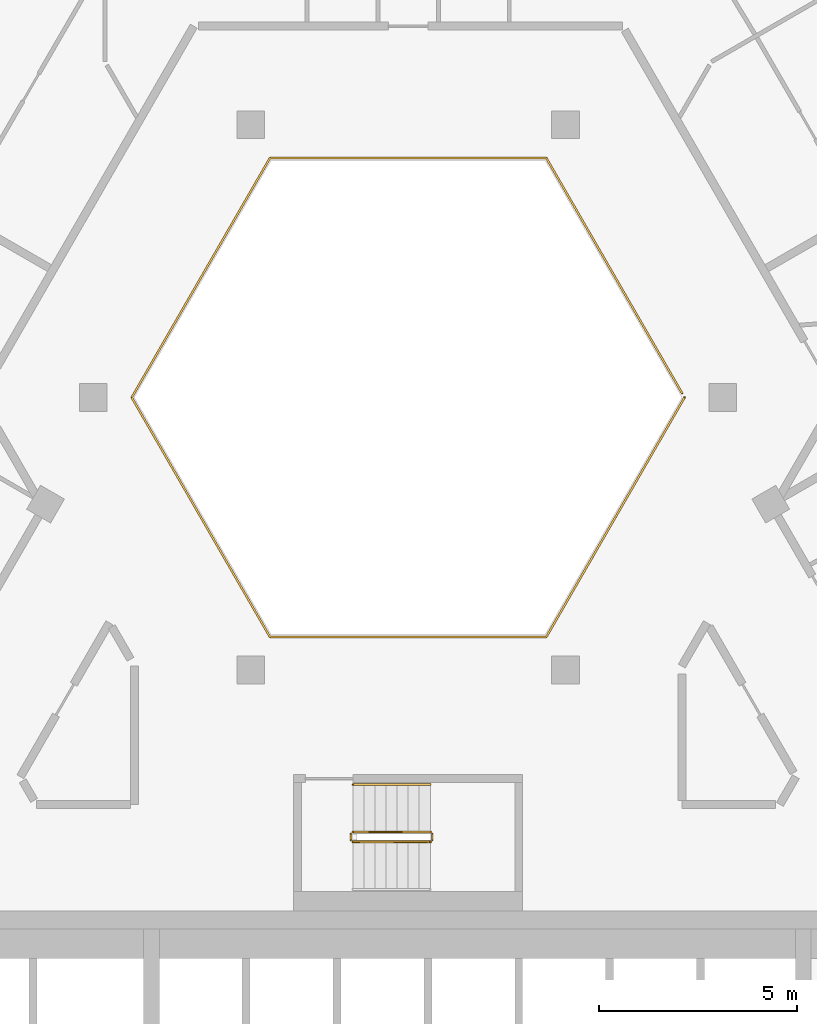
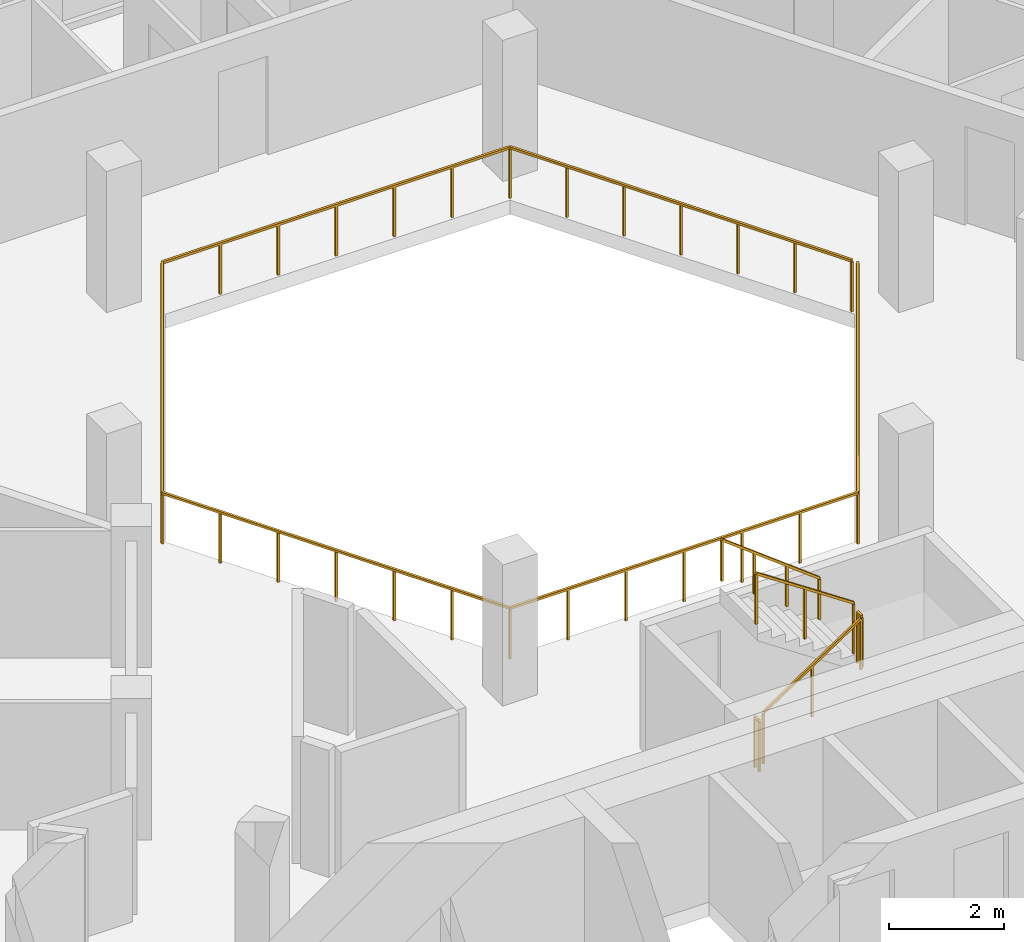
# One storey, part 12 of 14: 6 railings.
"""IFC4 building model written with IfcOpenShell, lengths in metres."""

from ifc_helpers import new_model, si_unit, direction, frame, origin, origin_2d, place, context, subcontext, project, spatial, rectangle, extrude, material, type_object, element, save


model = new_model("IFC4")

# Units and contexts
model_context = context("Model", 3, precision=1e-05, world=origin(), true_north=direction((0.0, 1.0)))
body_context = subcontext(model_context, "Body", "Model", "MODEL_VIEW")
ifc_project = project(units=[si_unit("LENGTHUNIT", "METRE"), si_unit("AREAUNIT", "SQUARE_METRE"), si_unit("VOLUMEUNIT", "CUBIC_METRE"), si_unit("PLANEANGLEUNIT", "RADIAN"), si_unit("MASSUNIT", "GRAM", prefix="KILO")], contexts=[model_context])

# Site, building, storey
site_placement = place(None, origin())
site = spatial("IfcSite", under=ifc_project, at=site_placement, CompositionType="ELEMENT")
building_placement = place(site_placement, origin())
building = spatial("IfcBuilding", under=site, at=building_placement, Name="Beryl Residences", CompositionType="ELEMENT")
storey_placement = place(building_placement, frame((0.0, 0.0, 223.800048828125)))
storey = spatial("IfcBuildingStorey", under=building, at=storey_placement, Name="L69", CompositionType="ELEMENT", Elevation=223.800048828125)

# Railings
ifc_material_1 = material(Name="Stainless steel balustrade with glass infill", Category="steel")
railing_type_1 = type_object("IfcRailingType", Name="EG1 edge guard 1100 mm", PredefinedType="GUARDRAIL", material=ifc_material_1)
railing_1_placement = place(storey_placement, frame((6.9970703125, 8.0, 0.0)))
element("IfcRailing", 1, at=railing_1_placement, inside=storey, type_object=railing_type_1, Name="L69 atrium guard", PredefinedType="GUARDRAIL", context=body_context, shape_type="SweptSolid", body=[
    extrude(rectangle(XDim=0.048095703125, YDim=0.048095703125, at=origin_2d()), frame((0.0, 0.0, 1.076171875), z_axis=(-0.499921796684, -0.866070549782, 0.0), x_axis=(0.866070549782, -0.499921796684, 0.0)), (0.0, 0.0, 1.0), 6.9970703125),
    extrude(rectangle(XDim=0.048095703125, YDim=0.048095703125, at=origin_2d()), frame((-3.498046875, -6.06005859375, 1.076171875), z_axis=(-1.0, 0.0, 0.0), x_axis=(0.0, -1.0, 0.0)), (0.0, 0.0, 1.0), 6.998046875),
    extrude(rectangle(XDim=0.048095703125, YDim=0.048095703125, at=origin_2d()), frame((-10.49609375, -6.06005859375, 1.076171875), z_axis=(-0.499921796684, 0.866070549782, 0.0), x_axis=(-0.866070549782, -0.499921796684, 0.0)), (0.0, 0.0, 1.0), 6.9970703125),
    extrude(rectangle(XDim=0.048095703125, YDim=0.048095703125, at=origin_2d()), frame((-13.994140625, 0.0, 1.076171875), z_axis=(0.499921796684, 0.866070549782, 0.0), x_axis=(-0.866070549782, 0.499921796684, 0.0)), (0.0, 0.0, 1.0), 6.9970703125),
    extrude(rectangle(XDim=0.048095703125, YDim=0.048095703125, at=origin_2d()), frame((-10.49609375, 6.06005859375, 1.076171875), z_axis=(1.0, 0.0, 0.0), x_axis=(0.0, 1.0, 0.0)), (0.0, 0.0, 1.0), 6.998046875),
    extrude(rectangle(XDim=0.048095703125, YDim=0.048095703125, at=origin_2d()), frame((-3.498046875, 6.06005859375, 1.076171875), z_axis=(0.499919131929, -0.866072087953, 0.0), x_axis=(0.866072087953, 0.499919131929, 0.0)), (0.0, 0.0, 1.0), 6.877197265625),
    extrude(rectangle(XDim=0.0419921875, YDim=0.0419921875, at=origin_2d()), origin(), (0.0, 0.0, 1.0), 1.052001953125),
    extrude(rectangle(XDim=0.0419921875, YDim=0.0419921875, at=origin_2d()), frame((-0.5830078125, -1.010009765625, 0.0)), (0.0, 0.0, 1.0), 1.052001953125),
    extrude(rectangle(XDim=0.0419921875, YDim=0.0419921875, at=origin_2d()), frame((-1.166015625, -2.02001953125, 0.0)), (0.0, 0.0, 1.0), 1.052001953125),
    extrude(rectangle(XDim=0.0419921875, YDim=0.0419921875, at=origin_2d()), frame((-1.7490234375, -3.030029296875, 0.0)), (0.0, 0.0, 1.0), 1.052001953125),
    extrude(rectangle(XDim=0.0419921875, YDim=0.0419921875, at=origin_2d()), frame((-2.33203125, -4.0400390625, 0.0)), (0.0, 0.0, 1.0), 1.052001953125),
    extrude(rectangle(XDim=0.0419921875, YDim=0.0419921875, at=origin_2d()), frame((-2.9150390625, -5.050048828125, 0.0)), (0.0, 0.0, 1.0), 1.052001953125),
    extrude(rectangle(XDim=0.0419921875, YDim=0.0419921875, at=origin_2d()), frame((-3.498046875, -6.06005859375, 0.0)), (0.0, 0.0, 1.0), 1.052001953125),
    extrude(rectangle(XDim=0.0419921875, YDim=0.0419921875, at=origin_2d()), frame((-4.664306640625, -6.06005859375, 0.0)), (0.0, 0.0, 1.0), 1.052001953125),
    extrude(rectangle(XDim=0.0419921875, YDim=0.0419921875, at=origin_2d()), frame((-5.830810546875, -6.06005859375, 0.0)), (0.0, 0.0, 1.0), 1.052001953125),
    extrude(rectangle(XDim=0.0419921875, YDim=0.0419921875, at=origin_2d()), frame((-6.9970703125, -6.06005859375, 0.0)), (0.0, 0.0, 1.0), 1.052001953125),
    extrude(rectangle(XDim=0.0419921875, YDim=0.0419921875, at=origin_2d()), frame((-8.163330078125, -6.06005859375, 0.0)), (0.0, 0.0, 1.0), 1.052001953125),
    extrude(rectangle(XDim=0.0419921875, YDim=0.0419921875, at=origin_2d()), frame((-9.329833984375, -6.06005859375, 0.0)), (0.0, 0.0, 1.0), 1.052001953125),
    extrude(rectangle(XDim=0.0419921875, YDim=0.0419921875, at=origin_2d()), frame((-10.49609375, -6.06005859375, 0.0)), (0.0, 0.0, 1.0), 1.052001953125),
    extrude(rectangle(XDim=0.0419921875, YDim=0.0419921875, at=origin_2d()), frame((-11.0791015625, -5.050048828125, 0.0)), (0.0, 0.0, 1.0), 1.052001953125),
    extrude(rectangle(XDim=0.0419921875, YDim=0.0419921875, at=origin_2d()), frame((-11.662109375, -4.0400390625, 0.0)), (0.0, 0.0, 1.0), 1.052001953125),
    extrude(rectangle(XDim=0.0419921875, YDim=0.0419921875, at=origin_2d()), frame((-12.2451171875, -3.030029296875, 0.0)), (0.0, 0.0, 1.0), 1.052001953125),
    extrude(rectangle(XDim=0.0419921875, YDim=0.0419921875, at=origin_2d()), frame((-12.828125, -2.02001953125, 0.0)), (0.0, 0.0, 1.0), 1.052001953125),
    extrude(rectangle(XDim=0.0419921875, YDim=0.0419921875, at=origin_2d()), frame((-13.4111328125, -1.010009765625, 0.0)), (0.0, 0.0, 1.0), 1.052001953125),
    extrude(rectangle(XDim=0.0419921875, YDim=0.0419921875, at=origin_2d()), frame((-13.994140625, 0.0, 0.0)), (0.0, 0.0, 1.0), 1.052001953125),
    extrude(rectangle(XDim=0.0419921875, YDim=0.0419921875, at=origin_2d()), frame((-13.4111328125, 1.010009765625, 0.0)), (0.0, 0.0, 1.0), 1.052001953125),
    extrude(rectangle(XDim=0.0419921875, YDim=0.0419921875, at=origin_2d()), frame((-12.828125, 2.02001953125, 0.0)), (0.0, 0.0, 1.0), 1.052001953125),
    extrude(rectangle(XDim=0.0419921875, YDim=0.0419921875, at=origin_2d()), frame((-12.2451171875, 3.030029296875, 0.0)), (0.0, 0.0, 1.0), 1.052001953125),
    extrude(rectangle(XDim=0.0419921875, YDim=0.0419921875, at=origin_2d()), frame((-11.662109375, 4.0400390625, 0.0)), (0.0, 0.0, 1.0), 1.052001953125),
    extrude(rectangle(XDim=0.0419921875, YDim=0.0419921875, at=origin_2d()), frame((-11.0791015625, 5.050048828125, 0.0)), (0.0, 0.0, 1.0), 1.052001953125),
    extrude(rectangle(XDim=0.0419921875, YDim=0.0419921875, at=origin_2d()), frame((-10.49609375, 6.06005859375, 0.0)), (0.0, 0.0, 1.0), 1.052001953125),
    extrude(rectangle(XDim=0.0419921875, YDim=0.0419921875, at=origin_2d()), frame((-9.329833984375, 6.06005859375, 0.0)), (0.0, 0.0, 1.0), 1.052001953125),
    extrude(rectangle(XDim=0.0419921875, YDim=0.0419921875, at=origin_2d()), frame((-8.163330078125, 6.06005859375, 0.0)), (0.0, 0.0, 1.0), 1.052001953125),
    extrude(rectangle(XDim=0.0419921875, YDim=0.0419921875, at=origin_2d()), frame((-6.9970703125, 6.06005859375, 0.0)), (0.0, 0.0, 1.0), 1.052001953125),
    extrude(rectangle(XDim=0.0419921875, YDim=0.0419921875, at=origin_2d()), frame((-5.830810546875, 6.06005859375, 0.0)), (0.0, 0.0, 1.0), 1.052001953125),
    extrude(rectangle(XDim=0.0419921875, YDim=0.0419921875, at=origin_2d()), frame((-4.664306640625, 6.06005859375, 0.0)), (0.0, 0.0, 1.0), 1.052001953125),
    extrude(rectangle(XDim=0.0419921875, YDim=0.0419921875, at=origin_2d()), frame((-3.498046875, 6.06005859375, 0.0)), (0.0, 0.0, 1.0), 1.052001953125),
    extrude(rectangle(XDim=0.0419921875, YDim=0.0419921875, at=origin_2d()), frame((-2.925048828125, 5.0673828125, 0.0)), (0.0, 0.0, 1.0), 1.052001953125),
    extrude(rectangle(XDim=0.0419921875, YDim=0.0419921875, at=origin_2d()), frame((-2.35205078125, 4.07470703125, 0.0)), (0.0, 0.0, 1.0), 1.052001953125),
    extrude(rectangle(XDim=0.0419921875, YDim=0.0419921875, at=origin_2d()), frame((-1.779052734375, 3.08203125, 0.0)), (0.0, 0.0, 1.0), 1.052001953125),
    extrude(rectangle(XDim=0.0419921875, YDim=0.0419921875, at=origin_2d()), frame((-1.2060546875, 2.08935546875, 0.0)), (0.0, 0.0, 1.0), 1.052001953125),
    extrude(rectangle(XDim=0.0419921875, YDim=0.0419921875, at=origin_2d()), frame((-0.633056640625, 1.0966796875, 0.0)), (0.0, 0.0, 1.0), 1.052001953125),
    extrude(rectangle(XDim=0.0419921875, YDim=0.0419921875, at=origin_2d()), frame((-0.06005859375, 0.10400390625, 0.0)), (0.0, 0.0, 1.0), 1.052001953125),
])
ifc_material_2 = material(Name="Stainless steel balustrade with glass infill", Category="steel")
railing_type_2 = type_object("IfcRailingType", Name="SG1 stair guard 1100 mm", PredefinedType="GUARDRAIL", material=ifc_material_2)
railing_2_placement = place(storey_placement, frame((-1.39990234375, -3.25, 0.1875)))
element("IfcRailing", 2, at=railing_2_placement, inside=storey, type_object=railing_type_2, Name="L69 ST-4 stair guard 1", PredefinedType="GUARDRAIL", context=body_context, shape_type="SweptSolid", body=[
    extrude(rectangle(XDim=0.048095703125, YDim=0.048095703125, at=origin_2d()), frame((0.0, 0.0, 1.076171875), z_axis=(0.830902050051, 0.0, 0.556418712142), x_axis=(0.0, 1.0, 0.0)), (0.0, 0.0, 1.0), 2.35888671875),
    extrude(rectangle(XDim=0.0419921875, YDim=0.0419921875, at=origin_2d()), origin(), (0.0, 0.0, 1.0), 1.052001953125),
    extrude(rectangle(XDim=0.0419921875, YDim=0.0419921875, at=origin_2d()), frame((0.97998046875, 0.0, 0.65625)), (0.0, 0.0, 1.0), 1.052001953125),
    extrude(rectangle(XDim=0.0419921875, YDim=0.0419921875, at=origin_2d()), frame((1.9599609375, 0.0, 1.3125)), (0.0, 0.0, 1.0), 1.052001953125),
])
railing_3_placement = place(storey_placement, frame((0.610107421875, -3.199951171875, 1.5)))
element("IfcRailing", 3, at=railing_3_placement, inside=storey, type_object=railing_type_2, Name="L69 ST-4 stair guard 2", PredefinedType="GUARDRAIL", context=body_context, shape_type="SweptSolid", body=[
    extrude(rectangle(XDim=0.048095703125, YDim=0.048095703125, at=origin_2d()), frame((0.0, 0.0, 1.076171875), z_axis=(0.0, 1.0, 0.0), x_axis=(-1.0, 0.0, 0.0)), (0.0, 0.0, 1.0), 0.14990234375),
    extrude(rectangle(XDim=0.0419921875, YDim=0.0419921875, at=origin_2d()), origin(), (0.0, 0.0, 1.0), 1.052001953125),
    extrude(rectangle(XDim=0.0419921875, YDim=0.0419921875, at=origin_2d()), frame((0.0, 0.14990234375, 0.0)), (0.0, 0.0, 1.0), 1.052001953125),
])
railing_4_placement = place(storey_placement, frame((0.56005859375, -3.0, 1.6875)))
element("IfcRailing", 4, at=railing_4_placement, inside=storey, type_object=railing_type_2, Name="L69 ST-4 stair guard 3", PredefinedType="GUARDRAIL", context=body_context, shape_type="SweptSolid", body=[
    extrude(rectangle(XDim=0.048095703125, YDim=0.048095703125, at=origin_2d()), frame((0.0, 0.0, 1.076171875), z_axis=(-0.830902050051, 0.0, 0.556418712142), x_axis=(0.0, -1.0, 0.0)), (0.0, 0.0, 1.0), 2.35888671875),
    extrude(rectangle(XDim=0.0419921875, YDim=0.0419921875, at=origin_2d()), origin(), (0.0, 0.0, 1.0), 1.052001953125),
    extrude(rectangle(XDim=0.0419921875, YDim=0.0419921875, at=origin_2d()), frame((-0.97998046875, 0.0, 0.65625)), (0.0, 0.0, 1.0), 1.052001953125),
    extrude(rectangle(XDim=0.0419921875, YDim=0.0419921875, at=origin_2d()), frame((-1.9599609375, 0.0, 1.3125)), (0.0, 0.0, 1.0), 1.052001953125),
])
railing_5_placement = place(storey_placement, frame((-1.449951171875, -3.199951171875, 0.0)))
element("IfcRailing", 5, at=railing_5_placement, inside=storey, type_object=railing_type_2, Name="L69 ST-4 stair guard 4", PredefinedType="GUARDRAIL", context=body_context, shape_type="SweptSolid", body=[
    extrude(rectangle(XDim=0.048095703125, YDim=0.048095703125, at=origin_2d()), frame((0.0, 0.0, 1.076171875), z_axis=(0.0, 1.0, 0.0), x_axis=(-1.0, 0.0, 0.0)), (0.0, 0.0, 1.0), 0.14990234375),
    extrude(rectangle(XDim=0.0419921875, YDim=0.0419921875, at=origin_2d()), origin(), (0.0, 0.0, 1.0), 1.052001953125),
    extrude(rectangle(XDim=0.0419921875, YDim=0.0419921875, at=origin_2d()), frame((0.0, 0.14990234375, 0.0)), (0.0, 0.0, 1.0), 1.052001953125),
])
ifc_material_3 = material(Name="Stainless steel handrail", Category="steel")
railing_type_3 = type_object("IfcRailingType", Name="SRL1 stair handrail 900 mm", PredefinedType="HANDRAIL", material=ifc_material_3)
railing_6_placement = place(storey_placement, frame((0.56005859375, -1.800048828125, 1.6875)))
element("IfcRailing", 6, at=railing_6_placement, inside=storey, type_object=railing_type_3, Name="L69 ST-4 stair handrail 2", PredefinedType="HANDRAIL", context=body_context, shape_type="SweptSolid", body=[
    extrude(rectangle(XDim=0.048095703125, YDim=0.048095703125, at=origin_2d()), frame((0.0, 0.0, 0.8759765625), z_axis=(-0.794121922505, 0.0, 0.607758481798), x_axis=(0.0, -1.0, 0.0)), (0.0, 0.0, 1.0), 2.468017578125),
    extrude(rectangle(XDim=0.0419921875, YDim=0.0419921875, at=origin_2d()), origin(), (0.0, 0.0, 1.0), 0.851806640625),
    extrude(rectangle(XDim=0.0419921875, YDim=0.0419921875, at=origin_2d()), frame((-0.6533203125, 0.0, 0.5)), (0.0, 0.0, 1.0), 0.851806640625),
    extrude(rectangle(XDim=0.0419921875, YDim=0.0419921875, at=origin_2d()), frame((-1.306640625, 0.0, 1.0)), (0.0, 0.0, 1.0), 0.851806640625),
    extrude(rectangle(XDim=0.0419921875, YDim=0.0419921875, at=origin_2d()), frame((-1.9599609375, 0.0, 1.5)), (0.0, 0.0, 1.0), 0.851806640625),
])

save(model, "model.ifc")
